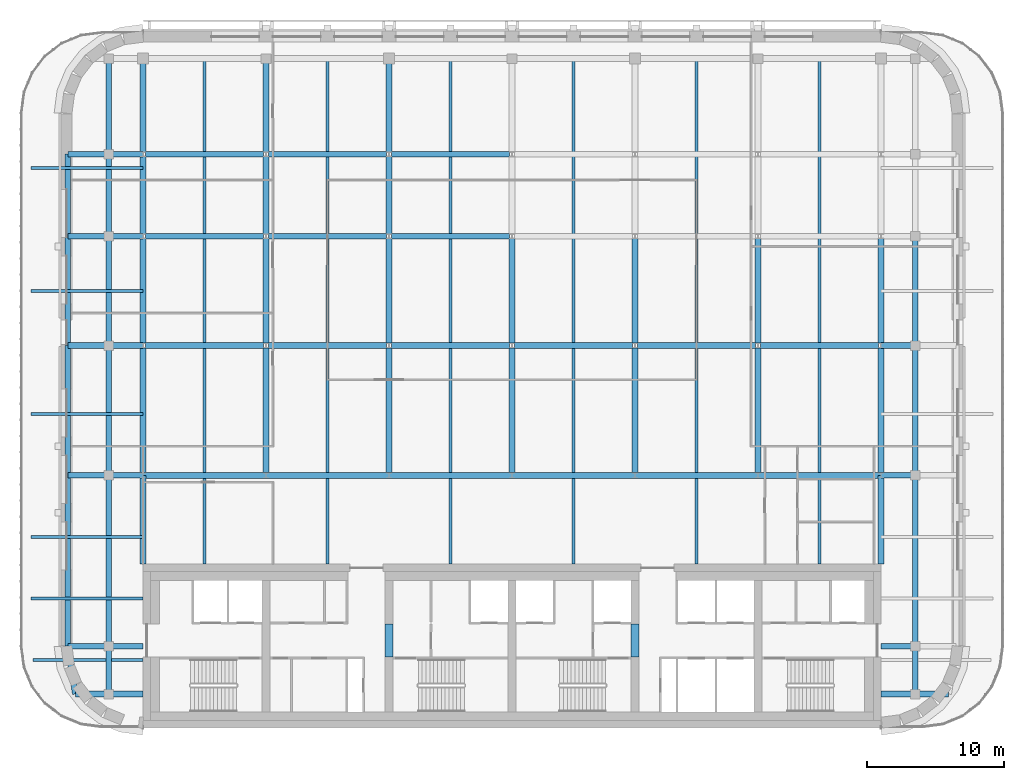
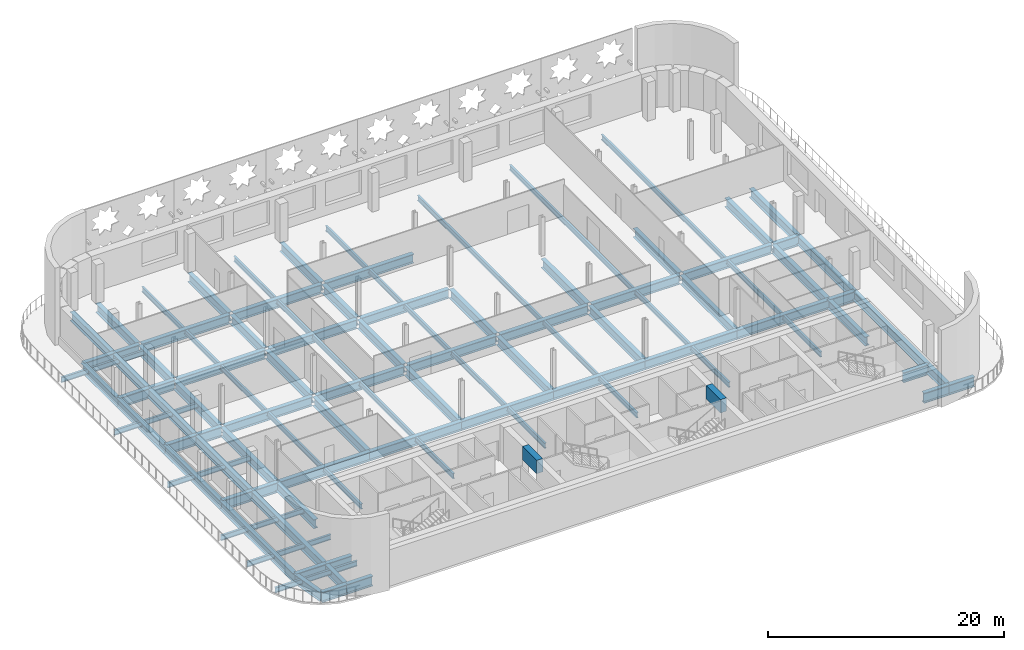
# One storey, part 5 of 15: 86 beams.
"""IFC4 building model written with IfcOpenShell, lengths in metres."""

from ifc_helpers import new_model, si_unit, direction, frame, origin, origin_2d, place, context, subcontext, project, spatial, rectangle, i_section, extrude, material, material_profile, profile_set, type_object, element, save


model = new_model("IFC4")

# Units and contexts
model_context = context("Model", 3, precision=1e-05, world=origin(), true_north=direction((0.0, 1.0)))
body_context = subcontext(model_context, "Body", "Model", "MODEL_VIEW")
ifc_project = project(units=[si_unit("LENGTHUNIT", "METRE"), si_unit("AREAUNIT", "SQUARE_METRE"), si_unit("VOLUMEUNIT", "CUBIC_METRE"), si_unit("PLANEANGLEUNIT", "RADIAN"), si_unit("MASSUNIT", "GRAM", prefix="KILO")], contexts=[model_context])

# Site, building, storey
site_placement = place(None, origin())
site = spatial("IfcSite", under=ifc_project, at=site_placement, CompositionType="ELEMENT")
building_placement = place(site_placement, origin())
building = spatial("IfcBuilding", under=site, at=building_placement, Name="Zellij Exchange Tower", CompositionType="ELEMENT")
storey_placement = place(building_placement, frame((0.0, 0.0, 284.5)))
storey = spatial("IfcBuildingStorey", under=building, at=storey_placement, Name="L67", CompositionType="ELEMENT", Elevation=284.5)

# Beams
ifc_material_1 = material(Name="Concrete C50/60", Category="concrete")
ifc_material_profile_1 = material_profile(ifc_material_1, rectangle(XDim=0.60009765625, YDim=1.3798828125, at=origin_2d()), Name="CORE-CB 600x1380 C50/60")
ifc_profile_set_1 = profile_set([ifc_material_profile_1], Name="Concrete C50/60")
beam_type_1 = type_object("IfcBeamType", Name="CORE-CB 600x1380 C50/60", PredefinedType="BEAM", material=ifc_profile_set_1)
for number, where, z_axis, x_axis, name in (
    (1, (-9.0, -8.800048828125, 3.090087890625), (0.0, 1.0, 0.0), (-1.0, 0.0, 0.0), "Core coupling beam x -9 L67"),
    (2, (9.0, -8.800048828125, 3.090087890625), (0.0, 1.0, 0.0), (-1.0, 0.0, 0.0), "Core coupling beam x 9 L67"),
):
    element("IfcBeam", number, at=place(storey_placement, frame(where, z_axis=z_axis, x_axis=x_axis)), inside=storey, type_object=beam_type_1, Name=name, PredefinedType="BEAM", context=body_context, shape_type="SweptSolid", body=[
        extrude(rectangle(XDim=0.60009765625, YDim=1.3798828125, at=origin_2d()), origin(), (0.0, 0.0, 1.0), 2.425048828125),
    ])
ifc_material_2 = material(Name="Structural steel ASTM A992 Gr 50", Category="steel")
ifc_material_profile_2 = material_profile(ifc_material_2, i_section(OverallWidth=0.209228515625, OverallDepth=0.533447265625, WebThickness=0.01025390625, FlangeThickness=0.015625, at=origin_2d()), Name="W21x62")
ifc_profile_set_2 = profile_set([ifc_material_profile_2], Name="Structural steel ASTM A992 Gr 50")
beam_type_2 = type_object("IfcBeamType", Name="STR-BEAM W21x62", PredefinedType="BEAM", material=ifc_profile_set_2)
for number, where, z_axis, x_axis, name in (
    (3, (-22.5, -2.0, -0.48681640625), (0.0, 1.0, 0.0), (-1.0, 0.0, 0.0), "B3"),
    (4, (-13.5, -2.0, -0.48681640625), (0.0, 1.0, 0.0), (-1.0, 0.0, 0.0), "B3"),
    (5, (-4.5, -2.0, -0.48681640625), (0.0, 1.0, 0.0), (-1.0, 0.0, 0.0), "B3"),
    (6, (4.5, -2.0, -0.48681640625), (0.0, 1.0, 0.0), (-1.0, 0.0, 0.0), "B3"),
    (7, (13.5, -2.0, -0.48681640625), (0.0, 1.0, 0.0), (-1.0, 0.0, 0.0), "B3"),
    (8, (22.5, -2.0, -0.48681640625), (0.0, 1.0, 0.0), (-1.0, 0.0, 0.0), "B3"),
):
    element("IfcBeam", number, at=place(storey_placement, frame(where, z_axis=z_axis, x_axis=x_axis)), inside=storey, type_object=beam_type_2, Name=name, PredefinedType="BEAM", context=body_context, shape_type="SweptSolid", body=[
        extrude(i_section(OverallWidth=0.209228515625, OverallDepth=0.533447265625, WebThickness=0.01025390625, FlangeThickness=0.015625, at=origin_2d()), origin(), (0.0, 0.0, 1.0), 37.212158203125),
    ])
beam_1_placement = place(storey_placement, frame((-35.06103515625, -9.0, -0.48681640625), z_axis=(1.0, 0.0, 0.0), x_axis=(0.0, 1.0, 0.0)))
element("IfcBeam", 9, at=beam_1_placement, inside=storey, type_object=beam_type_2, Name="B3", PredefinedType="BEAM", context=body_context, shape_type="SweptSolid", body=[
    extrude(i_section(OverallWidth=0.209228515625, OverallDepth=0.533447265625, WebThickness=0.01025390625, FlangeThickness=0.015625, at=origin_2d()), origin(), (0.0, 0.0, 1.0), 8.06103515625),
])
for number, where, z_axis, x_axis, name in (
    (10, (-35.199951171875, -4.5, -0.48681640625), (1.0, 0.0, 0.0), (0.0, 1.0, 0.0), "B3"),
    (11, (-35.199951171875, 0.0, -0.48681640625), (1.0, 0.0, 0.0), (0.0, 1.0, 0.0), "B3"),
    (12, (-35.199951171875, 9.0, -0.48681640625), (1.0, 0.0, 0.0), (0.0, 1.0, 0.0), "B3"),
    (13, (-35.199951171875, 18.0, -0.48681640625), (1.0, 0.0, 0.0), (0.0, 1.0, 0.0), "B3"),
    (14, (-35.199951171875, 27.0, -0.48681640625), (1.0, 0.0, 0.0), (0.0, 1.0, 0.0), "B3"),
):
    element("IfcBeam", number, at=place(storey_placement, frame(where, z_axis=z_axis, x_axis=x_axis)), inside=storey, type_object=beam_type_2, Name=name, PredefinedType="BEAM", context=body_context, shape_type="SweptSolid", body=[
        extrude(i_section(OverallWidth=0.209228515625, OverallDepth=0.533447265625, WebThickness=0.01025390625, FlangeThickness=0.015625, at=origin_2d()), origin(), (0.0, 0.0, 1.0), 8.199951171875),
    ])
ifc_material_3 = material(Name="Structural steel ASTM A913 Gr 65", Category="steel")
ifc_material_profile_3 = material_profile(ifc_material_3, i_section(OverallWidth=0.424072265625, OverallDepth=0.93212890625, WebThickness=0.02392578125, FlangeThickness=0.042724609375, at=origin_2d()), Name="W36x300")
ifc_profile_set_3 = profile_set([ifc_material_profile_3], Name="Structural steel ASTM A913 Gr 65")
beam_type_3 = type_object("IfcBeamType", Name="STR-EDGE GIRDER W36x300", PredefinedType="BEAM", material=ifc_profile_set_3)
beam_2_placement = place(storey_placement, frame((-31.949951171875, -11.5, -0.68603515625), z_axis=(-0.155251283593, 0.987875011802, 0.0), x_axis=(-0.987875011802, -0.155251283593, 0.0)))
element("IfcBeam", 15, at=beam_2_placement, inside=storey, type_object=beam_type_3, Name="EG5", PredefinedType="BEAM", context=body_context, shape_type="SweptSolid", body=[
    extrude(i_section(OverallWidth=0.424072265625, OverallDepth=0.93212890625, WebThickness=0.02392578125, FlangeThickness=0.042724609375, at=origin_2d()), origin(), (0.0, 0.0, 1.0), 3.54296875),
])
beam_3_placement = place(storey_placement, frame((-32.5, -8.0, -0.68603515625), z_axis=(0.0, 1.0, 0.0), x_axis=(-1.0, 0.0, 0.0)))
element("IfcBeam", 16, at=beam_3_placement, inside=storey, type_object=beam_type_3, Name="EG5", PredefinedType="BEAM", context=body_context, shape_type="SweptSolid", body=[
    extrude(i_section(OverallWidth=0.424072265625, OverallDepth=0.93212890625, WebThickness=0.02392578125, FlangeThickness=0.042724609375, at=origin_2d()), origin(), (0.0, 0.0, 1.0), 12.5),
])
beam_4_placement = place(storey_placement, frame((-32.5, 4.5, -0.68603515625), z_axis=(0.0, 1.0, 0.0), x_axis=(-1.0, 0.0, 0.0)))
element("IfcBeam", 17, at=beam_4_placement, inside=storey, type_object=beam_type_3, Name="EG5", PredefinedType="BEAM", context=body_context, shape_type="SweptSolid", body=[
    extrude(i_section(OverallWidth=0.424072265625, OverallDepth=0.93212890625, WebThickness=0.02392578125, FlangeThickness=0.042724609375, at=origin_2d()), origin(), (0.0, 0.0, 1.0), 9.5),
])
beam_5_placement = place(storey_placement, frame((-32.5, 14.0, -0.68603515625), z_axis=(0.0, 1.0, 0.0), x_axis=(-1.0, 0.0, 0.0)))
element("IfcBeam", 18, at=beam_5_placement, inside=storey, type_object=beam_type_3, Name="EG5", PredefinedType="BEAM", context=body_context, shape_type="SweptSolid", body=[
    extrude(i_section(OverallWidth=0.424072265625, OverallDepth=0.93212890625, WebThickness=0.02392578125, FlangeThickness=0.042724609375, at=origin_2d()), origin(), (0.0, 0.0, 1.0), 8.0),
])
beam_6_placement = place(storey_placement, frame((-32.5, 22.0, -0.68603515625), z_axis=(0.0, 1.0, 0.0), x_axis=(-1.0, 0.0, 0.0)))
element("IfcBeam", 19, at=beam_6_placement, inside=storey, type_object=beam_type_3, Name="EG5", PredefinedType="BEAM", context=body_context, shape_type="SweptSolid", body=[
    extrude(i_section(OverallWidth=0.424072265625, OverallDepth=0.93212890625, WebThickness=0.02392578125, FlangeThickness=0.042724609375, at=origin_2d()), origin(), (0.0, 0.0, 1.0), 6.0),
])
ifc_material_profile_4 = material_profile(ifc_material_3, i_section(OverallWidth=0.424072265625, OverallDepth=0.93212890625, WebThickness=0.02392578125, FlangeThickness=0.042724609375, at=origin_2d()), Name="W36x300")
ifc_profile_set_4 = profile_set([ifc_material_profile_4], Name="Structural steel ASTM A913 Gr 65")
beam_type_4 = type_object("IfcBeamType", Name="STR-GIRDER W36x300", PredefinedType="BEAM", material=ifc_profile_set_4)
for number, where, z_axis, x_axis, name in (
    (20, (-27.0, 4.5, -0.68603515625), (1.0, 0.0, 0.0), (0.0, 1.0, 0.0), "G5"),
    (21, (-18.0, 4.5, -0.68603515625), (1.0, 0.0, 0.0), (0.0, 1.0, 0.0), "G5"),
    (22, (-9.0, 4.5, -0.68603515625), (1.0, 0.0, 0.0), (0.0, 1.0, 0.0), "G5"),
    (23, (0.0, 4.5, -0.68603515625), (1.0, 0.0, 0.0), (0.0, 1.0, 0.0), "G5"),
    (24, (9.0, 4.5, -0.68603515625), (1.0, 0.0, 0.0), (0.0, 1.0, 0.0), "G5"),
    (25, (18.0, 4.5, -0.68603515625), (1.0, 0.0, 0.0), (0.0, 1.0, 0.0), "G5"),
):
    element("IfcBeam", number, at=place(storey_placement, frame(where, z_axis=z_axis, x_axis=x_axis)), inside=storey, type_object=beam_type_4, Name=name, PredefinedType="BEAM", context=body_context, shape_type="SweptSolid", body=[
        extrude(i_section(OverallWidth=0.424072265625, OverallDepth=0.93212890625, WebThickness=0.02392578125, FlangeThickness=0.042724609375, at=origin_2d()), origin(), (0.0, 0.0, 1.0), 9.0),
    ])
for number, where, z_axis, x_axis, name in (
    (26, (-26.81591796875, 14.0, -0.68603515625), (1.0, 0.0, 0.0), (0.0, 1.0, 0.0), "G5"),
    (27, (-17.81591796875, 14.0, -0.68603515625), (1.0, 0.0, 0.0), (0.0, 1.0, 0.0), "G5"),
    (28, (-8.81591796875, 14.0, -0.68603515625), (1.0, 0.0, 0.0), (0.0, 1.0, 0.0), "G5"),
    (29, (0.18408203125, 14.0, -0.68603515625), (1.0, 0.0, 0.0), (0.0, 1.0, 0.0), "G5"),
    (30, (9.18408203125, 14.0, -0.68603515625), (1.0, 0.0, 0.0), (0.0, 1.0, 0.0), "G5"),
    (31, (18.18408203125, 14.0, -0.68603515625), (1.0, 0.0, 0.0), (0.0, 1.0, 0.0), "G5"),
    (32, (-26.81591796875, 22.0, -0.68603515625), (1.0, 0.0, 0.0), (0.0, 1.0, 0.0), "G5"),
    (33, (-17.81591796875, 22.0, -0.68603515625), (1.0, 0.0, 0.0), (0.0, 1.0, 0.0), "G5"),
    (34, (-8.81591796875, 22.0, -0.68603515625), (1.0, 0.0, 0.0), (0.0, 1.0, 0.0), "G5"),
    (35, (-26.81591796875, 28.0, -0.68603515625), (1.0, 0.0, 0.0), (0.0, 1.0, 0.0), "G5"),
    (36, (-17.81591796875, 28.0, -0.68603515625), (1.0, 0.0, 0.0), (0.0, 1.0, 0.0), "G5"),
    (37, (-8.81591796875, 28.0, -0.68603515625), (1.0, 0.0, 0.0), (0.0, 1.0, 0.0), "G5"),
):
    element("IfcBeam", number, at=place(storey_placement, frame(where, z_axis=z_axis, x_axis=x_axis)), inside=storey, type_object=beam_type_4, Name=name, PredefinedType="BEAM", context=body_context, shape_type="SweptSolid", body=[
        extrude(i_section(OverallWidth=0.424072265625, OverallDepth=0.93212890625, WebThickness=0.02392578125, FlangeThickness=0.042724609375, at=origin_2d()), origin(), (0.0, 0.0, 1.0), 8.6318359375),
    ])
beam_7_placement = place(storey_placement, frame((-29.5, -11.5, -0.68603515625), z_axis=(0.0, 1.0, 0.0), x_axis=(-1.0, 0.0, 0.0)))
element("IfcBeam", 38, at=beam_7_placement, inside=storey, type_object=beam_type_4, Name="G5", PredefinedType="BEAM", context=body_context, shape_type="SweptSolid", body=[
    extrude(i_section(OverallWidth=0.424072265625, OverallDepth=0.93212890625, WebThickness=0.02392578125, FlangeThickness=0.042724609375, at=origin_2d()), origin(), (0.0, 0.0, 1.0), 3.5),
])
beam_8_placement = place(storey_placement, frame((-29.5, -8.0, -0.68603515625), z_axis=(0.0, 1.0, 0.0), x_axis=(-1.0, 0.0, 0.0)))
element("IfcBeam", 39, at=beam_8_placement, inside=storey, type_object=beam_type_4, Name="G5", PredefinedType="BEAM", context=body_context, shape_type="SweptSolid", body=[
    extrude(i_section(OverallWidth=0.424072265625, OverallDepth=0.93212890625, WebThickness=0.02392578125, FlangeThickness=0.042724609375, at=origin_2d()), origin(), (0.0, 0.0, 1.0), 12.5),
])
beam_9_placement = place(storey_placement, frame((-29.5, 4.5, -0.68603515625), z_axis=(0.0, 1.0, 0.0), x_axis=(-1.0, 0.0, 0.0)))
element("IfcBeam", 40, at=beam_9_placement, inside=storey, type_object=beam_type_4, Name="G5", PredefinedType="BEAM", context=body_context, shape_type="SweptSolid", body=[
    extrude(i_section(OverallWidth=0.424072265625, OverallDepth=0.93212890625, WebThickness=0.02392578125, FlangeThickness=0.042724609375, at=origin_2d()), origin(), (0.0, 0.0, 1.0), 9.5),
])
beam_10_placement = place(storey_placement, frame((-29.5, 14.0, -0.68603515625), z_axis=(0.0, 1.0, 0.0), x_axis=(-1.0, 0.0, 0.0)))
element("IfcBeam", 41, at=beam_10_placement, inside=storey, type_object=beam_type_4, Name="G5", PredefinedType="BEAM", context=body_context, shape_type="SweptSolid", body=[
    extrude(i_section(OverallWidth=0.424072265625, OverallDepth=0.93212890625, WebThickness=0.02392578125, FlangeThickness=0.042724609375, at=origin_2d()), origin(), (0.0, 0.0, 1.0), 8.0),
])
beam_11_placement = place(storey_placement, frame((-29.5, 22.0, -0.68603515625), z_axis=(0.0, 1.0, 0.0), x_axis=(-1.0, 0.0, 0.0)))
element("IfcBeam", 42, at=beam_11_placement, inside=storey, type_object=beam_type_4, Name="G5", PredefinedType="BEAM", context=body_context, shape_type="SweptSolid", body=[
    extrude(i_section(OverallWidth=0.424072265625, OverallDepth=0.93212890625, WebThickness=0.02392578125, FlangeThickness=0.042724609375, at=origin_2d()), origin(), (0.0, 0.0, 1.0), 6.0),
])
beam_12_placement = place(storey_placement, frame((-29.5, 28.0, -0.68603515625), z_axis=(0.0, 1.0, 0.0), x_axis=(-1.0, 0.0, 0.0)))
element("IfcBeam", 43, at=beam_12_placement, inside=storey, type_object=beam_type_4, Name="G5", PredefinedType="BEAM", context=body_context, shape_type="SweptSolid", body=[
    extrude(i_section(OverallWidth=0.424072265625, OverallDepth=0.93212890625, WebThickness=0.02392578125, FlangeThickness=0.042724609375, at=origin_2d()), origin(), (0.0, 0.0, 1.0), 7.0),
])
beam_13_placement = place(storey_placement, frame((-27.0, -2.0, -0.68603515625), z_axis=(0.0, 1.0, 0.0), x_axis=(-1.0, 0.0, 0.0)))
element("IfcBeam", 44, at=beam_13_placement, inside=storey, type_object=beam_type_4, Name="G5", PredefinedType="BEAM", context=body_context, shape_type="SweptSolid", body=[
    extrude(i_section(OverallWidth=0.424072265625, OverallDepth=0.93212890625, WebThickness=0.02392578125, FlangeThickness=0.042724609375, at=origin_2d()), origin(), (0.0, 0.0, 1.0), 6.5),
])
beam_14_placement = place(storey_placement, frame((-27.0, 4.5, -0.68603515625), z_axis=(0.0, 1.0, 0.0), x_axis=(-1.0, 0.0, 0.0)))
element("IfcBeam", 45, at=beam_14_placement, inside=storey, type_object=beam_type_4, Name="G5", PredefinedType="BEAM", context=body_context, shape_type="SweptSolid", body=[
    extrude(i_section(OverallWidth=0.424072265625, OverallDepth=0.93212890625, WebThickness=0.02392578125, FlangeThickness=0.042724609375, at=origin_2d()), origin(), (0.0, 0.0, 1.0), 9.322265625),
])
beam_15_placement = place(storey_placement, frame((-27.0, 14.177734375, -0.68603515625), z_axis=(0.0, 1.0, 0.0), x_axis=(-1.0, 0.0, 0.0)))
element("IfcBeam", 46, at=beam_15_placement, inside=storey, type_object=beam_type_4, Name="G5", PredefinedType="BEAM", context=body_context, shape_type="SweptSolid", body=[
    extrude(i_section(OverallWidth=0.424072265625, OverallDepth=0.93212890625, WebThickness=0.02392578125, FlangeThickness=0.042724609375, at=origin_2d()), origin(), (0.0, 0.0, 1.0), 7.64453125),
])
beam_16_placement = place(storey_placement, frame((-27.0, 22.177734375, -0.68603515625), z_axis=(0.0, 1.0, 0.0), x_axis=(-1.0, 0.0, 0.0)))
element("IfcBeam", 47, at=beam_16_placement, inside=storey, type_object=beam_type_4, Name="G5", PredefinedType="BEAM", context=body_context, shape_type="SweptSolid", body=[
    extrude(i_section(OverallWidth=0.424072265625, OverallDepth=0.93212890625, WebThickness=0.02392578125, FlangeThickness=0.042724609375, at=origin_2d()), origin(), (0.0, 0.0, 1.0), 5.64453125),
])
beam_17_placement = place(storey_placement, frame((-27.0, 28.177734375, -0.68603515625), z_axis=(0.0, 1.0, 0.0), x_axis=(-1.0, 0.0, 0.0)))
element("IfcBeam", 48, at=beam_17_placement, inside=storey, type_object=beam_type_4, Name="G5", PredefinedType="BEAM", context=body_context, shape_type="SweptSolid", body=[
    extrude(i_section(OverallWidth=0.424072265625, OverallDepth=0.93212890625, WebThickness=0.02392578125, FlangeThickness=0.042724609375, at=origin_2d()), origin(), (0.0, 0.0, 1.0), 6.822265625),
])
beam_18_placement = place(storey_placement, frame((-18.0, 4.5, -0.68603515625), z_axis=(0.0, 1.0, 0.0), x_axis=(-1.0, 0.0, 0.0)))
element("IfcBeam", 49, at=beam_18_placement, inside=storey, type_object=beam_type_4, Name="G5", PredefinedType="BEAM", context=body_context, shape_type="SweptSolid", body=[
    extrude(i_section(OverallWidth=0.424072265625, OverallDepth=0.93212890625, WebThickness=0.02392578125, FlangeThickness=0.042724609375, at=origin_2d()), origin(), (0.0, 0.0, 1.0), 9.322265625),
])
beam_19_placement = place(storey_placement, frame((-18.0, 14.177734375, -0.68603515625), z_axis=(0.0, 1.0, 0.0), x_axis=(-1.0, 0.0, 0.0)))
element("IfcBeam", 50, at=beam_19_placement, inside=storey, type_object=beam_type_4, Name="G5", PredefinedType="BEAM", context=body_context, shape_type="SweptSolid", body=[
    extrude(i_section(OverallWidth=0.424072265625, OverallDepth=0.93212890625, WebThickness=0.02392578125, FlangeThickness=0.042724609375, at=origin_2d()), origin(), (0.0, 0.0, 1.0), 7.64453125),
])
beam_20_placement = place(storey_placement, frame((-18.0, 22.177734375, -0.68603515625), z_axis=(0.0, 1.0, 0.0), x_axis=(-1.0, 0.0, 0.0)))
element("IfcBeam", 51, at=beam_20_placement, inside=storey, type_object=beam_type_4, Name="G5", PredefinedType="BEAM", context=body_context, shape_type="SweptSolid", body=[
    extrude(i_section(OverallWidth=0.424072265625, OverallDepth=0.93212890625, WebThickness=0.02392578125, FlangeThickness=0.042724609375, at=origin_2d()), origin(), (0.0, 0.0, 1.0), 5.64453125),
])
beam_21_placement = place(storey_placement, frame((-18.0, 28.177734375, -0.68603515625), z_axis=(0.0, 1.0, 0.0), x_axis=(-1.0, 0.0, 0.0)))
element("IfcBeam", 52, at=beam_21_placement, inside=storey, type_object=beam_type_4, Name="G5", PredefinedType="BEAM", context=body_context, shape_type="SweptSolid", body=[
    extrude(i_section(OverallWidth=0.424072265625, OverallDepth=0.93212890625, WebThickness=0.02392578125, FlangeThickness=0.042724609375, at=origin_2d()), origin(), (0.0, 0.0, 1.0), 6.822265625),
])
beam_22_placement = place(storey_placement, frame((-9.0, 4.5, -0.68603515625), z_axis=(0.0, 1.0, 0.0), x_axis=(-1.0, 0.0, 0.0)))
element("IfcBeam", 53, at=beam_22_placement, inside=storey, type_object=beam_type_4, Name="G5", PredefinedType="BEAM", context=body_context, shape_type="SweptSolid", body=[
    extrude(i_section(OverallWidth=0.424072265625, OverallDepth=0.93212890625, WebThickness=0.02392578125, FlangeThickness=0.042724609375, at=origin_2d()), origin(), (0.0, 0.0, 1.0), 9.322265625),
])
beam_23_placement = place(storey_placement, frame((-9.0, 14.177734375, -0.68603515625), z_axis=(0.0, 1.0, 0.0), x_axis=(-1.0, 0.0, 0.0)))
element("IfcBeam", 54, at=beam_23_placement, inside=storey, type_object=beam_type_4, Name="G5", PredefinedType="BEAM", context=body_context, shape_type="SweptSolid", body=[
    extrude(i_section(OverallWidth=0.424072265625, OverallDepth=0.93212890625, WebThickness=0.02392578125, FlangeThickness=0.042724609375, at=origin_2d()), origin(), (0.0, 0.0, 1.0), 7.64453125),
])
beam_24_placement = place(storey_placement, frame((-9.0, 22.177734375, -0.68603515625), z_axis=(0.0, 1.0, 0.0), x_axis=(-1.0, 0.0, 0.0)))
element("IfcBeam", 55, at=beam_24_placement, inside=storey, type_object=beam_type_4, Name="G5", PredefinedType="BEAM", context=body_context, shape_type="SweptSolid", body=[
    extrude(i_section(OverallWidth=0.424072265625, OverallDepth=0.93212890625, WebThickness=0.02392578125, FlangeThickness=0.042724609375, at=origin_2d()), origin(), (0.0, 0.0, 1.0), 5.64453125),
])
beam_25_placement = place(storey_placement, frame((-9.0, 28.177734375, -0.68603515625), z_axis=(0.0, 1.0, 0.0), x_axis=(-1.0, 0.0, 0.0)))
element("IfcBeam", 56, at=beam_25_placement, inside=storey, type_object=beam_type_4, Name="G5", PredefinedType="BEAM", context=body_context, shape_type="SweptSolid", body=[
    extrude(i_section(OverallWidth=0.424072265625, OverallDepth=0.93212890625, WebThickness=0.02392578125, FlangeThickness=0.042724609375, at=origin_2d()), origin(), (0.0, 0.0, 1.0), 6.822265625),
])
beam_26_placement = place(storey_placement, frame((0.0, 4.5, -0.68603515625), z_axis=(0.0, 1.0, 0.0), x_axis=(-1.0, 0.0, 0.0)))
element("IfcBeam", 57, at=beam_26_placement, inside=storey, type_object=beam_type_4, Name="G5", PredefinedType="BEAM", context=body_context, shape_type="SweptSolid", body=[
    extrude(i_section(OverallWidth=0.424072265625, OverallDepth=0.93212890625, WebThickness=0.02392578125, FlangeThickness=0.042724609375, at=origin_2d()), origin(), (0.0, 0.0, 1.0), 9.322265625),
])
beam_27_placement = place(storey_placement, frame((0.0, 14.177734375, -0.68603515625), z_axis=(0.0, 1.0, 0.0), x_axis=(-1.0, 0.0, 0.0)))
element("IfcBeam", 58, at=beam_27_placement, inside=storey, type_object=beam_type_4, Name="G5", PredefinedType="BEAM", context=body_context, shape_type="SweptSolid", body=[
    extrude(i_section(OverallWidth=0.424072265625, OverallDepth=0.93212890625, WebThickness=0.02392578125, FlangeThickness=0.042724609375, at=origin_2d()), origin(), (0.0, 0.0, 1.0), 7.64453125),
])
beam_28_placement = place(storey_placement, frame((9.0, 4.5, -0.68603515625), z_axis=(0.0, 1.0, 0.0), x_axis=(-1.0, 0.0, 0.0)))
element("IfcBeam", 59, at=beam_28_placement, inside=storey, type_object=beam_type_4, Name="G5", PredefinedType="BEAM", context=body_context, shape_type="SweptSolid", body=[
    extrude(i_section(OverallWidth=0.424072265625, OverallDepth=0.93212890625, WebThickness=0.02392578125, FlangeThickness=0.042724609375, at=origin_2d()), origin(), (0.0, 0.0, 1.0), 9.322265625),
])
beam_29_placement = place(storey_placement, frame((9.0, 14.177734375, -0.68603515625), z_axis=(0.0, 1.0, 0.0), x_axis=(-1.0, 0.0, 0.0)))
element("IfcBeam", 60, at=beam_29_placement, inside=storey, type_object=beam_type_4, Name="G5", PredefinedType="BEAM", context=body_context, shape_type="SweptSolid", body=[
    extrude(i_section(OverallWidth=0.424072265625, OverallDepth=0.93212890625, WebThickness=0.02392578125, FlangeThickness=0.042724609375, at=origin_2d()), origin(), (0.0, 0.0, 1.0), 7.64453125),
])
beam_30_placement = place(storey_placement, frame((18.0, 4.5, -0.68603515625), z_axis=(0.0, 1.0, 0.0), x_axis=(-1.0, 0.0, 0.0)))
element("IfcBeam", 61, at=beam_30_placement, inside=storey, type_object=beam_type_4, Name="G5", PredefinedType="BEAM", context=body_context, shape_type="SweptSolid", body=[
    extrude(i_section(OverallWidth=0.424072265625, OverallDepth=0.93212890625, WebThickness=0.02392578125, FlangeThickness=0.042724609375, at=origin_2d()), origin(), (0.0, 0.0, 1.0), 9.322265625),
])
beam_31_placement = place(storey_placement, frame((18.0, 14.177734375, -0.68603515625), z_axis=(0.0, 1.0, 0.0), x_axis=(-1.0, 0.0, 0.0)))
element("IfcBeam", 62, at=beam_31_placement, inside=storey, type_object=beam_type_4, Name="G5", PredefinedType="BEAM", context=body_context, shape_type="SweptSolid", body=[
    extrude(i_section(OverallWidth=0.424072265625, OverallDepth=0.93212890625, WebThickness=0.02392578125, FlangeThickness=0.042724609375, at=origin_2d()), origin(), (0.0, 0.0, 1.0), 7.64453125),
])
beam_32_placement = place(storey_placement, frame((27.0, -2.0, -0.68603515625), z_axis=(0.0, 1.0, 0.0), x_axis=(-1.0, 0.0, 0.0)))
element("IfcBeam", 63, at=beam_32_placement, inside=storey, type_object=beam_type_4, Name="G5", PredefinedType="BEAM", context=body_context, shape_type="SweptSolid", body=[
    extrude(i_section(OverallWidth=0.424072265625, OverallDepth=0.93212890625, WebThickness=0.02392578125, FlangeThickness=0.042724609375, at=origin_2d()), origin(), (0.0, 0.0, 1.0), 6.5),
])
beam_33_placement = place(storey_placement, frame((27.0, 4.5, -0.68603515625), z_axis=(0.0, 1.0, 0.0), x_axis=(-1.0, 0.0, 0.0)))
element("IfcBeam", 64, at=beam_33_placement, inside=storey, type_object=beam_type_4, Name="G5", PredefinedType="BEAM", context=body_context, shape_type="SweptSolid", body=[
    extrude(i_section(OverallWidth=0.424072265625, OverallDepth=0.93212890625, WebThickness=0.02392578125, FlangeThickness=0.042724609375, at=origin_2d()), origin(), (0.0, 0.0, 1.0), 9.322265625),
])
beam_34_placement = place(storey_placement, frame((27.0, 14.177734375, -0.68603515625), z_axis=(0.0, 1.0, 0.0), x_axis=(-1.0, 0.0, 0.0)))
element("IfcBeam", 65, at=beam_34_placement, inside=storey, type_object=beam_type_4, Name="G5", PredefinedType="BEAM", context=body_context, shape_type="SweptSolid", body=[
    extrude(i_section(OverallWidth=0.424072265625, OverallDepth=0.93212890625, WebThickness=0.02392578125, FlangeThickness=0.042724609375, at=origin_2d()), origin(), (0.0, 0.0, 1.0), 7.64453125),
])
beam_35_placement = place(storey_placement, frame((29.5, -11.5, -0.68603515625), z_axis=(0.0, 1.0, 0.0), x_axis=(-1.0, 0.0, 0.0)))
element("IfcBeam", 66, at=beam_35_placement, inside=storey, type_object=beam_type_4, Name="G5", PredefinedType="BEAM", context=body_context, shape_type="SweptSolid", body=[
    extrude(i_section(OverallWidth=0.424072265625, OverallDepth=0.93212890625, WebThickness=0.02392578125, FlangeThickness=0.042724609375, at=origin_2d()), origin(), (0.0, 0.0, 1.0), 3.5),
])
beam_36_placement = place(storey_placement, frame((29.5, -8.0, -0.68603515625), z_axis=(0.0, 1.0, 0.0), x_axis=(-1.0, 0.0, 0.0)))
element("IfcBeam", 67, at=beam_36_placement, inside=storey, type_object=beam_type_4, Name="G5", PredefinedType="BEAM", context=body_context, shape_type="SweptSolid", body=[
    extrude(i_section(OverallWidth=0.424072265625, OverallDepth=0.93212890625, WebThickness=0.02392578125, FlangeThickness=0.042724609375, at=origin_2d()), origin(), (0.0, 0.0, 1.0), 12.5),
])
beam_37_placement = place(storey_placement, frame((29.5, 4.5, -0.68603515625), z_axis=(0.0, 1.0, 0.0), x_axis=(-1.0, 0.0, 0.0)))
element("IfcBeam", 68, at=beam_37_placement, inside=storey, type_object=beam_type_4, Name="G5", PredefinedType="BEAM", context=body_context, shape_type="SweptSolid", body=[
    extrude(i_section(OverallWidth=0.424072265625, OverallDepth=0.93212890625, WebThickness=0.02392578125, FlangeThickness=0.042724609375, at=origin_2d()), origin(), (0.0, 0.0, 1.0), 9.5),
])
beam_38_placement = place(storey_placement, frame((29.5, 14.0, -0.68603515625), z_axis=(0.0, 1.0, 0.0), x_axis=(-1.0, 0.0, 0.0)))
element("IfcBeam", 69, at=beam_38_placement, inside=storey, type_object=beam_type_4, Name="G5", PredefinedType="BEAM", context=body_context, shape_type="SweptSolid", body=[
    extrude(i_section(OverallWidth=0.424072265625, OverallDepth=0.93212890625, WebThickness=0.02392578125, FlangeThickness=0.042724609375, at=origin_2d()), origin(), (0.0, 0.0, 1.0), 8.0),
])
ifc_material_profile_5 = material_profile(ifc_material_3, i_section(OverallWidth=0.408935546875, OverallDepth=1.04150390625, WebThickness=0.031005859375, FlangeThickness=0.055908203125, at=origin_2d()), Name="W40x397")
ifc_profile_set_5 = profile_set([ifc_material_profile_5], Name="Structural steel ASTM A913 Gr 65")
beam_type_5 = type_object("IfcBeamType", Name="STR-TRANSFER GIRDER W40x397", PredefinedType="BEAM", material=ifc_profile_set_5)
beam_39_placement = place(storey_placement, frame((-31.949951171875, -11.5, -0.74072265625), z_axis=(1.0, 0.0, 0.0), x_axis=(0.0, 1.0, 0.0)))
element("IfcBeam", 70, at=beam_39_placement, inside=storey, type_object=beam_type_5, Name="TG6", PredefinedType="BEAM", context=body_context, shape_type="SweptSolid", body=[
    extrude(i_section(OverallWidth=0.408935546875, OverallDepth=1.04150390625, WebThickness=0.031005859375, FlangeThickness=0.055908203125, at=origin_2d()), origin(), (0.0, 0.0, 1.0), 2.449951171875),
])
beam_40_placement = place(storey_placement, frame((-29.5, -11.5, -0.74072265625), z_axis=(1.0, 0.0, 0.0), x_axis=(0.0, 1.0, 0.0)))
element("IfcBeam", 71, at=beam_40_placement, inside=storey, type_object=beam_type_5, Name="TG6", PredefinedType="BEAM", context=body_context, shape_type="SweptSolid", body=[
    extrude(i_section(OverallWidth=0.408935546875, OverallDepth=1.04150390625, WebThickness=0.031005859375, FlangeThickness=0.055908203125, at=origin_2d()), origin(), (0.0, 0.0, 1.0), 2.5),
])
beam_41_placement = place(storey_placement, frame((-32.5, -8.0, -0.74072265625), z_axis=(1.0, 0.0, 0.0), x_axis=(0.0, 1.0, 0.0)))
element("IfcBeam", 72, at=beam_41_placement, inside=storey, type_object=beam_type_5, Name="TG6", PredefinedType="BEAM", context=body_context, shape_type="SweptSolid", body=[
    extrude(i_section(OverallWidth=0.408935546875, OverallDepth=1.04150390625, WebThickness=0.031005859375, FlangeThickness=0.055908203125, at=origin_2d()), origin(), (0.0, 0.0, 1.0), 3.0),
])
beam_42_placement = place(storey_placement, frame((-29.5, -8.0, -0.74072265625), z_axis=(1.0, 0.0, 0.0), x_axis=(0.0, 1.0, 0.0)))
element("IfcBeam", 73, at=beam_42_placement, inside=storey, type_object=beam_type_5, Name="TG6", PredefinedType="BEAM", context=body_context, shape_type="SweptSolid", body=[
    extrude(i_section(OverallWidth=0.408935546875, OverallDepth=1.04150390625, WebThickness=0.031005859375, FlangeThickness=0.055908203125, at=origin_2d()), origin(), (0.0, 0.0, 1.0), 2.5),
])
beam_43_placement = place(storey_placement, frame((-32.5, 4.5, -0.74072265625), z_axis=(1.0, 0.0, 0.0), x_axis=(0.0, 1.0, 0.0)))
element("IfcBeam", 74, at=beam_43_placement, inside=storey, type_object=beam_type_5, Name="TG6", PredefinedType="BEAM", context=body_context, shape_type="SweptSolid", body=[
    extrude(i_section(OverallWidth=0.408935546875, OverallDepth=1.04150390625, WebThickness=0.031005859375, FlangeThickness=0.055908203125, at=origin_2d()), origin(), (0.0, 0.0, 1.0), 3.0),
])
beam_44_placement = place(storey_placement, frame((-29.5, 4.5, -0.74072265625), z_axis=(1.0, 0.0, 0.0), x_axis=(0.0, 1.0, 0.0)))
element("IfcBeam", 75, at=beam_44_placement, inside=storey, type_object=beam_type_5, Name="TG6", PredefinedType="BEAM", context=body_context, shape_type="SweptSolid", body=[
    extrude(i_section(OverallWidth=0.408935546875, OverallDepth=1.04150390625, WebThickness=0.031005859375, FlangeThickness=0.055908203125, at=origin_2d()), origin(), (0.0, 0.0, 1.0), 2.5),
])
beam_45_placement = place(storey_placement, frame((-32.5, 14.0, -0.74072265625), z_axis=(1.0, 0.0, 0.0), x_axis=(0.0, 1.0, 0.0)))
element("IfcBeam", 76, at=beam_45_placement, inside=storey, type_object=beam_type_5, Name="TG6", PredefinedType="BEAM", context=body_context, shape_type="SweptSolid", body=[
    extrude(i_section(OverallWidth=0.408935546875, OverallDepth=1.04150390625, WebThickness=0.031005859375, FlangeThickness=0.055908203125, at=origin_2d()), origin(), (0.0, 0.0, 1.0), 3.0),
])
beam_46_placement = place(storey_placement, frame((-29.5, 14.0, -0.74072265625), z_axis=(1.0, 0.0, 0.0), x_axis=(0.0, 1.0, 0.0)))
element("IfcBeam", 77, at=beam_46_placement, inside=storey, type_object=beam_type_5, Name="TG6", PredefinedType="BEAM", context=body_context, shape_type="SweptSolid", body=[
    extrude(i_section(OverallWidth=0.408935546875, OverallDepth=1.04150390625, WebThickness=0.031005859375, FlangeThickness=0.055908203125, at=origin_2d()), origin(), (0.0, 0.0, 1.0), 2.5),
])
beam_47_placement = place(storey_placement, frame((-32.5, 22.0, -0.74072265625), z_axis=(1.0, 0.0, 0.0), x_axis=(0.0, 1.0, 0.0)))
element("IfcBeam", 78, at=beam_47_placement, inside=storey, type_object=beam_type_5, Name="TG6", PredefinedType="BEAM", context=body_context, shape_type="SweptSolid", body=[
    extrude(i_section(OverallWidth=0.408935546875, OverallDepth=1.04150390625, WebThickness=0.031005859375, FlangeThickness=0.055908203125, at=origin_2d()), origin(), (0.0, 0.0, 1.0), 3.0),
])
beam_48_placement = place(storey_placement, frame((-29.5, 22.0, -0.74072265625), z_axis=(1.0, 0.0, 0.0), x_axis=(0.0, 1.0, 0.0)))
element("IfcBeam", 79, at=beam_48_placement, inside=storey, type_object=beam_type_5, Name="TG6", PredefinedType="BEAM", context=body_context, shape_type="SweptSolid", body=[
    extrude(i_section(OverallWidth=0.408935546875, OverallDepth=1.04150390625, WebThickness=0.031005859375, FlangeThickness=0.055908203125, at=origin_2d()), origin(), (0.0, 0.0, 1.0), 2.5),
])
beam_49_placement = place(storey_placement, frame((-32.5, 28.0, -0.74072265625), z_axis=(1.0, 0.0, 0.0), x_axis=(0.0, 1.0, 0.0)))
element("IfcBeam", 80, at=beam_49_placement, inside=storey, type_object=beam_type_5, Name="TG6", PredefinedType="BEAM", context=body_context, shape_type="SweptSolid", body=[
    extrude(i_section(OverallWidth=0.408935546875, OverallDepth=1.04150390625, WebThickness=0.031005859375, FlangeThickness=0.055908203125, at=origin_2d()), origin(), (0.0, 0.0, 1.0), 3.0),
])
for number, where, z_axis, x_axis, name in (
    (81, (-29.5, 28.0, -0.74072265625), (1.0, 0.0, 0.0), (0.0, 1.0, 0.0), "TG6"),
    (82, (27.0, -11.5, -0.74072265625), (1.0, 0.0, 0.0), (0.0, 1.0, 0.0), "TG6"),
):
    element("IfcBeam", number, at=place(storey_placement, frame(where, z_axis=z_axis, x_axis=x_axis)), inside=storey, type_object=beam_type_5, Name=name, PredefinedType="BEAM", context=body_context, shape_type="SweptSolid", body=[
        extrude(i_section(OverallWidth=0.408935546875, OverallDepth=1.04150390625, WebThickness=0.031005859375, FlangeThickness=0.055908203125, at=origin_2d()), origin(), (0.0, 0.0, 1.0), 2.5),
    ])
beam_50_placement = place(storey_placement, frame((29.5, -11.5, -0.74072265625), z_axis=(1.0, 0.0, 0.0), x_axis=(0.0, 1.0, 0.0)))
element("IfcBeam", 83, at=beam_50_placement, inside=storey, type_object=beam_type_5, Name="TG6", PredefinedType="BEAM", context=body_context, shape_type="SweptSolid", body=[
    extrude(i_section(OverallWidth=0.408935546875, OverallDepth=1.04150390625, WebThickness=0.031005859375, FlangeThickness=0.055908203125, at=origin_2d()), origin(), (0.0, 0.0, 1.0), 2.449951171875),
])
for number, where, z_axis, x_axis, name in (
    (84, (27.0, -8.0, -0.74072265625), (1.0, 0.0, 0.0), (0.0, 1.0, 0.0), "TG6"),
    (85, (27.0, 4.5, -0.74072265625), (1.0, 0.0, 0.0), (0.0, 1.0, 0.0), "TG6"),
    (86, (27.0, 14.0, -0.74072265625), (1.0, 0.0, 0.0), (0.0, 1.0, 0.0), "TG6"),
):
    element("IfcBeam", number, at=place(storey_placement, frame(where, z_axis=z_axis, x_axis=x_axis)), inside=storey, type_object=beam_type_5, Name=name, PredefinedType="BEAM", context=body_context, shape_type="SweptSolid", body=[
        extrude(i_section(OverallWidth=0.408935546875, OverallDepth=1.04150390625, WebThickness=0.031005859375, FlangeThickness=0.055908203125, at=origin_2d()), origin(), (0.0, 0.0, 1.0), 2.5),
    ])

save(model, "model.ifc")
